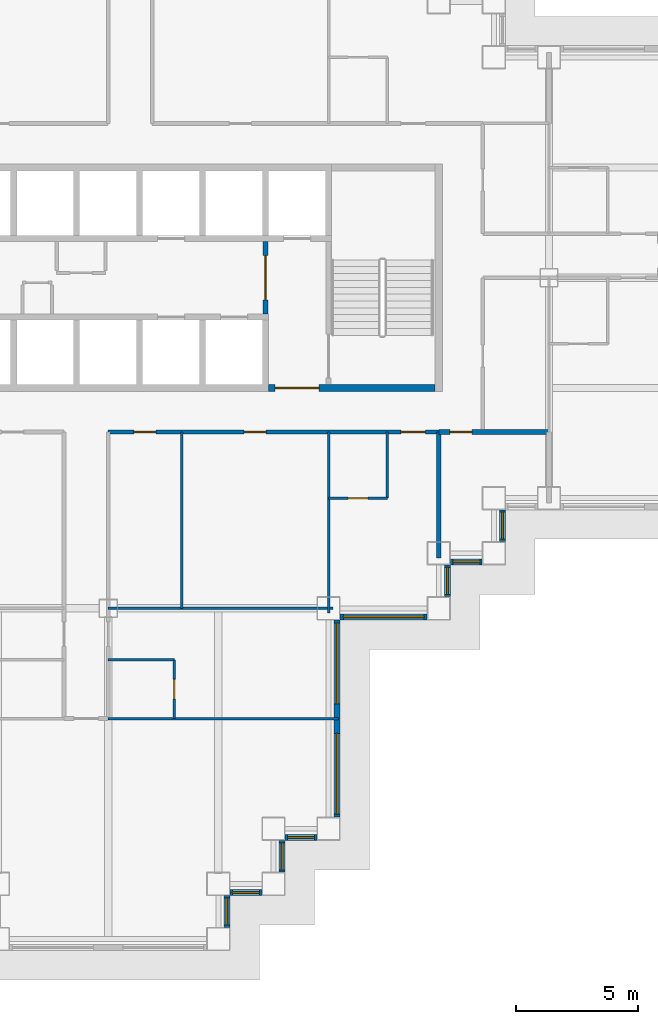
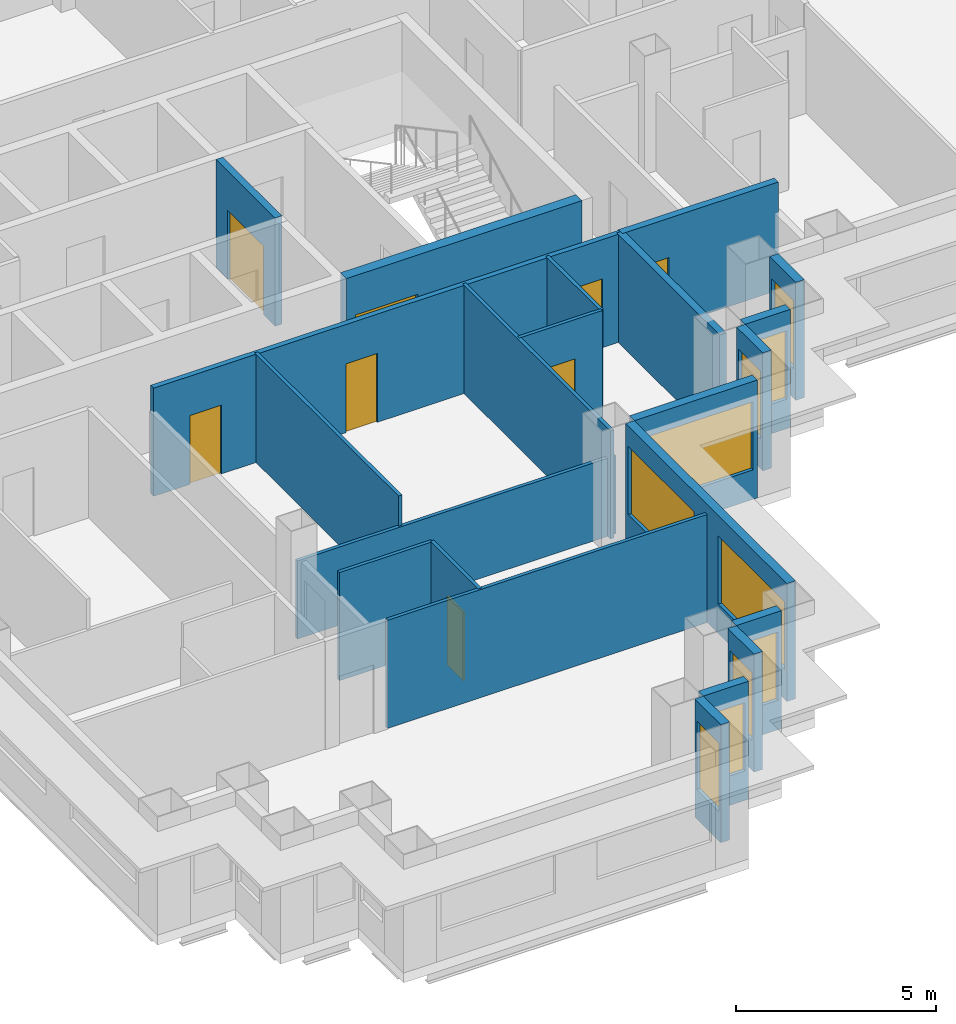
# One storey, part 5 of 14: 22 walls, 10 windows, 8 doors, 18 openings.
"""IFC4 building model written with IfcOpenShell, lengths in metres."""

from ifc_helpers import new_model, si_unit, direction, frame, frame_2d, origin, place, context, subcontext, project, spatial, rectangle, extrude, material, layer, layer_set, type_object, element, fill, save


model = new_model("IFC4")

# Units and contexts
model_context = context("Model", 3, precision=1e-05, world=origin(), true_north=direction((0.0, 1.0)))
body_context = subcontext(model_context, "Body", "Model", "MODEL_VIEW")
ifc_project = project(units=[si_unit("LENGTHUNIT", "METRE"), si_unit("AREAUNIT", "SQUARE_METRE"), si_unit("VOLUMEUNIT", "CUBIC_METRE"), si_unit("PLANEANGLEUNIT", "RADIAN"), si_unit("MASSUNIT", "GRAM", prefix="KILO")], contexts=[model_context])

# Site, building, storey
site_placement = place(None, origin())
site = spatial("IfcSite", under=ifc_project, at=site_placement, CompositionType="ELEMENT")
building_placement = place(site_placement, origin())
building = spatial("IfcBuilding", under=site, at=building_placement, Name="Caravel Reach Hotel and Residences", CompositionType="ELEMENT")
storey_placement = place(building_placement, frame((0.0, 0.0, 88.800048828125)))
storey = spatial("IfcBuildingStorey", under=building, at=storey_placement, Name="L21", CompositionType="ELEMENT", Elevation=88.800048828125)

# Wall
ifc_material_1 = material(Name="Gypsum board on steel stud", Category="steel")
ifc_layer_1 = layer(ifc_material_1, 0.10009765625)
ifc_layer_set_1 = layer_set([ifc_layer_1], Name="Bathroom pod wall 100 mm")
wall_type_1 = type_object("IfcWallType", Name="Bathroom pod wall 100 mm", PredefinedType="PARTITIONING", material=ifc_layer_set_1)
wall_1_placement = place(storey_placement, frame((31.5, 11.39990234375, 0.0), z_axis=(0.0, 0.0, 1.0), x_axis=(1.0, 0.0, 0.0)))
element("IfcWall", 1, at=wall_1_placement, inside=storey, type_object=wall_type_1, Name="L21 wall w071", PredefinedType="PARTITIONING", context=body_context, shape_type="SweptSolid", body=[
    extrude(rectangle(XDim=2.699951171875, YDim=0.10009765625, at=frame_2d((1.35009765625, 0.0))), origin(), (0.0, 0.0, 1.0), 3.300048828125),
])

# Wall, opening, door
wall_2_placement = place(storey_placement, frame((40.5, 18.0, 0.0), z_axis=(0.0, 0.0, 1.0), x_axis=(1.0, 0.0, 0.0)))
wall_2 = element("IfcWall", 2, at=wall_2_placement, inside=storey, type_object=wall_type_1, Name="L21 wall w074", PredefinedType="PARTITIONING", context=body_context, shape_type="SweptSolid", body=[
    extrude(rectangle(XDim=2.39990234375, YDim=0.10009765625, at=frame_2d((1.199951171875, 0.0))), origin(), (0.0, 0.0, 1.0), 3.300048828125),
])
opening_1_placement = place(wall_2_placement, frame((0.800048828125, 0.0, 0.0)))
opening_1 = element("IfcOpeningElement", 3, at=opening_1_placement, cuts=wall_2, Name="Opening D21-046", PredefinedType="OPENING", context=body_context, shape_type="SweptSolid", body=[
    extrude(rectangle(XDim=0.800048828125, YDim=2.10009765625, at=frame_2d((0.39990234375, 1.050048828125))), frame((0.0, 0.06005859375, 0.0), z_axis=(0.0, -1.0, 0.0), x_axis=(1.0, 0.0, 0.0)), (0.0, 0.0, 1.0), 0.1201171875),
])
ifc_material_2 = material(Name="Timber and steel door leaf", Category="steel")
door_type_1 = type_object("IfcDoorType", Name="Bathroom door 800 x 2100", OperationType="SINGLE_SWING_LEFT", PredefinedType="DOOR", material=ifc_material_2)
door_1_placement = place(opening_1_placement, origin())
door_1 = element("IfcDoor", 4, at=door_1_placement, inside=storey, type_object=door_type_1, Name="door D21-046", OperationType="SINGLE_SWING_LEFT", OverallHeight=2.10009765625, OverallWidth=0.800048828125, PredefinedType="DOOR", context=body_context, shape_type="SweptSolid", body=[
    extrude(rectangle(XDim=0.800048828125, YDim=2.10009765625, at=frame_2d((0.39990234375, 1.050048828125))), frame((0.0, 0.02490234375, 0.0), z_axis=(0.0, -1.0, 0.0), x_axis=(1.0, 0.0, 0.0)), (0.0, 0.0, 1.0), 0.050048828125),
])
fill(opening_1, door_1)

wall_3_placement = place(storey_placement, frame((34.199951171875, 9.0, 0.0), z_axis=(0.0, 0.0, 1.0), x_axis=(0.0, 1.0, 0.0)))
wall_3 = element("IfcWall", 5, at=wall_3_placement, inside=storey, type_object=wall_type_1, Name="L21 wall w088", PredefinedType="PARTITIONING", context=body_context, shape_type="SweptSolid", body=[
    extrude(rectangle(XDim=2.39990234375, YDim=0.10009765625, at=frame_2d((1.199951171875, 0.0))), origin(), (0.0, 0.0, 1.0), 3.300048828125),
])
opening_2_placement = place(wall_3_placement, frame((0.800048828125, 0.0, 0.0)))
opening_2 = element("IfcOpeningElement", 6, at=opening_2_placement, cuts=wall_3, Name="Opening D21-033", PredefinedType="OPENING", context=body_context, shape_type="SweptSolid", body=[
    extrude(rectangle(XDim=0.800048828125, YDim=2.10009765625, at=frame_2d((0.39990234375, 1.050048828125))), frame((0.0, 0.06005859375, 0.0), z_axis=(0.0, -1.0, 0.0), x_axis=(1.0, 0.0, 0.0)), (0.0, 0.0, 1.0), 0.1201171875),
])
door_2_placement = place(opening_2_placement, origin())
door_2 = element("IfcDoor", 7, at=door_2_placement, inside=storey, type_object=door_type_1, Name="door D21-033", OperationType="SINGLE_SWING_RIGHT", OverallHeight=2.10009765625, OverallWidth=0.800048828125, PredefinedType="DOOR", context=body_context, shape_type="SweptSolid", body=[
    extrude(rectangle(XDim=0.800048828125, YDim=2.10009765625, at=frame_2d((0.39990234375, 1.050048828125))), frame((0.0, 0.02490234375, 0.0), z_axis=(0.0, -1.0, 0.0), x_axis=(1.0, 0.0, 0.0)), (0.0, 0.0, 1.0), 0.050048828125),
])
fill(opening_2, door_2)

# Wall
wall_4_placement = place(storey_placement, frame((42.89990234375, 18.0, 0.0), z_axis=(0.0, 0.0, 1.0), x_axis=(0.0, 1.0, 0.0)))
element("IfcWall", 8, at=wall_4_placement, inside=storey, type_object=wall_type_1, Name="L21 wall w091", PredefinedType="PARTITIONING", context=body_context, shape_type="SweptSolid", body=[
    extrude(rectangle(XDim=2.699951171875, YDim=0.10009765625, at=frame_2d((1.35009765625, 0.0))), origin(), (0.0, 0.0, 1.0), 3.300048828125),
])

# Wall, opening, door
ifc_material_3 = material(Name="Autoclaved aerated block wall")
ifc_layer_2 = layer(ifc_material_3, 0.199951171875)
ifc_layer_set_2 = layer_set([ifc_layer_2], Name="Compartment wall 200 mm EI 120")
wall_type_2 = type_object("IfcWallType", Name="Compartment wall 200 mm EI 120", PredefinedType="PARTITIONING", material=ifc_layer_set_2)
wall_5_placement = place(storey_placement, frame((45.0, 20.699951171875, 0.0), z_axis=(0.0, 0.0, 1.0), x_axis=(1.0, 0.0, 0.0)))
wall_5 = element("IfcWall", 9, at=wall_5_placement, inside=storey, type_object=wall_type_2, Name="L21 wall w096", PredefinedType="PARTITIONING", context=body_context, shape_type="SweptSolid", body=[
    extrude(rectangle(XDim=4.5, YDim=0.199951171875, at=frame_2d((2.25, 0.0))), origin(), (0.0, 0.0, 1.0), 3.300048828125),
])
opening_3_placement = place(wall_5_placement, frame((0.449951171875, 0.0, 0.0)))
opening_3 = element("IfcOpeningElement", 10, at=opening_3_placement, cuts=wall_5, Name="Opening D21-047", PredefinedType="OPENING", context=body_context, shape_type="SweptSolid", body=[
    extrude(rectangle(XDim=0.89990234375, YDim=2.10009765625, at=frame_2d((0.449951171875, 1.050048828125))), frame((0.0, 0.10986328125, 0.0), z_axis=(0.0, -1.0, 0.0), x_axis=(1.0, 0.0, 0.0)), (0.0, 0.0, 1.0), 0.219970703125),
])
ifc_material_4 = material(Name="Steel fire door leaf", Category="steel")
door_type_2 = type_object("IfcDoorType", Name="Riser door 900 x 2100 EI 60", OperationType="SINGLE_SWING_LEFT", PredefinedType="DOOR", material=ifc_material_4)
door_3_placement = place(opening_3_placement, origin())
door_3 = element("IfcDoor", 11, at=door_3_placement, inside=storey, type_object=door_type_2, Name="door D21-047", OperationType="SINGLE_SWING_RIGHT", OverallHeight=2.10009765625, OverallWidth=0.89990234375, PredefinedType="DOOR", context=body_context, shape_type="SweptSolid", body=[
    extrude(rectangle(XDim=0.89990234375, YDim=2.10009765625, at=frame_2d((0.449951171875, 1.050048828125))), frame((0.0, 0.02490234375, 0.0), z_axis=(0.0, -1.0, 0.0), x_axis=(1.0, 0.0, 0.0)), (0.0, 0.0, 1.0), 0.050048828125),
])
fill(opening_3, door_3)

# Wall
wall_6_placement = place(storey_placement, frame((45.0, 15.56005859375, 0.0), z_axis=(0.0, 0.0, 1.0), x_axis=(0.0, 1.0, 0.0)))
element("IfcWall", 12, at=wall_6_placement, inside=storey, type_object=wall_type_2, Name="L21 wall w098", PredefinedType="PARTITIONING", context=body_context, shape_type="SweptSolid", body=[
    extrude(rectangle(XDim=5.139892578125, YDim=0.199951171875, at=frame_2d((2.56982421875, 0.0))), origin(), (0.0, 0.0, 1.0), 3.300048828125),
])

# Wall, opening, door
ifc_material_5 = material(Name="Concrete C60", Category="concrete")
ifc_layer_3 = layer(ifc_material_5, 0.300048828125)
ifc_layer_set_3 = layer_set([ifc_layer_3], Name="Core wall 300 mm EI 120")
wall_type_3 = type_object("IfcWallType", Name="Core wall 300 mm EI 120", PredefinedType="SHEAR", material=ifc_layer_set_3)
wall_7_placement = place(storey_placement, frame((38.053466796875, 22.5, 0.0), z_axis=(0.0, 0.0, 1.0), x_axis=(1.0, 0.0, 0.0)))
wall_7 = element("IfcWall", 13, at=wall_7_placement, inside=storey, type_object=wall_type_3, Name="L21 core wall S2", PredefinedType="SHEAR", context=body_context, shape_type="SweptSolid", body=[
    extrude(rectangle(XDim=6.796630859375, YDim=0.300048828125, at=frame_2d((3.3984375, 0.0))), origin(), (0.0, 0.0, 1.0), 3.300048828125),
])
opening_4_placement = place(wall_7_placement, frame((0.2607421875, 0.0, 0.0)))
opening_4 = element("IfcOpeningElement", 14, at=opening_4_placement, cuts=wall_7, Name="Opening D21-015", PredefinedType="OPENING", context=body_context, shape_type="SweptSolid", body=[
    extrude(rectangle(XDim=1.800048828125, YDim=2.10009765625, at=frame_2d((0.89990234375, 1.050048828125))), frame((0.0, 0.159912109375, 0.0), z_axis=(0.0, -1.0, 0.0), x_axis=(1.0, 0.0, 0.0)), (0.0, 0.0, 1.0), 0.320068359375),
])
ifc_material_6 = material(Name="Steel fire door leaf", Category="steel")
door_type_3 = type_object("IfcDoorType", Name="Fire lobby door pair 1800 x 2100 EI 90", OperationType="DOUBLE_DOOR_SINGLE_SWING", PredefinedType="DOOR", material=ifc_material_6)
door_4_placement = place(opening_4_placement, origin())
door_4 = element("IfcDoor", 15, at=door_4_placement, inside=storey, type_object=door_type_3, Name="lobby S door pair to corridor", OperationType="DOUBLE_DOOR_SINGLE_SWING", OverallHeight=2.10009765625, OverallWidth=1.800048828125, PredefinedType="DOOR", context=body_context, shape_type="SweptSolid", body=[
    extrude(rectangle(XDim=1.800048828125, YDim=2.10009765625, at=frame_2d((0.89990234375, 1.050048828125))), frame((0.0, 0.02490234375, 0.0), z_axis=(0.0, -1.0, 0.0), x_axis=(1.0, 0.0, 0.0)), (0.0, 0.0, 1.0), 0.050048828125),
])
fill(opening_4, door_4)

# Wall, openings, doors
ifc_material_7 = material(Name="Gypsum board on steel stud, fire-rated", Category="steel")
ifc_layer_4 = layer(ifc_material_7, 0.14990234375)
ifc_layer_set_4 = layer_set([ifc_layer_4], Name="Corridor wall 150 mm EI 60")
wall_type_4 = type_object("IfcWallType", Name="Corridor wall 150 mm EI 60", PredefinedType="PARTITIONING", material=ifc_layer_set_4)
wall_8_placement = place(storey_placement, frame((31.5, 20.699951171875, 0.0), z_axis=(0.0, 0.0, 1.0), x_axis=(1.0, 0.0, 0.0)))
wall_8 = element("IfcWall", 16, at=wall_8_placement, inside=storey, type_object=wall_type_4, Name="L21 wall w005", PredefinedType="PARTITIONING", context=body_context, shape_type="SweptSolid", body=[
    extrude(rectangle(XDim=13.5, YDim=0.14990234375, at=frame_2d((6.75, 0.0))), origin(), (0.0, 0.0, 1.0), 3.300048828125),
])
opening_5_placement = place(wall_8_placement, frame((11.949951171875, 0.0, 0.0)))
opening_5 = element("IfcOpeningElement", 17, at=opening_5_placement, cuts=wall_8, Name="Opening D21-045", PredefinedType="OPENING", context=body_context, shape_type="SweptSolid", body=[
    extrude(rectangle(XDim=1.0, YDim=2.10009765625, at=frame_2d((0.5, 1.050048828125))), frame((0.0, 0.0849609375, 0.0), z_axis=(0.0, -1.0, 0.0), x_axis=(1.0, 0.0, 0.0)), (0.0, 0.0, 1.0), 0.169921875),
])
opening_6_placement = place(wall_8_placement, frame((1.050048828125, 0.0, 0.0)))
opening_6 = element("IfcOpeningElement", 18, at=opening_6_placement, cuts=wall_8, Name="Opening D21-052", PredefinedType="OPENING", context=body_context, shape_type="SweptSolid", body=[
    extrude(rectangle(XDim=0.89990234375, YDim=2.10009765625, at=frame_2d((0.449951171875, 1.050048828125))), frame((0.0, 0.0849609375, 0.0), z_axis=(0.0, -1.0, 0.0), x_axis=(1.0, 0.0, 0.0)), (0.0, 0.0, 1.0), 0.169921875),
])
opening_7_placement = place(wall_8_placement, frame((5.550048828125, 0.0, 0.0)))
opening_7 = element("IfcOpeningElement", 19, at=opening_7_placement, cuts=wall_8, Name="Opening D21-053", PredefinedType="OPENING", context=body_context, shape_type="SweptSolid", body=[
    extrude(rectangle(XDim=0.89990234375, YDim=2.10009765625, at=frame_2d((0.449951171875, 1.050048828125))), frame((0.0, 0.0849609375, 0.0), z_axis=(0.0, -1.0, 0.0), x_axis=(1.0, 0.0, 0.0)), (0.0, 0.0, 1.0), 0.169921875),
])
ifc_material_8 = material(Name="Timber and steel door leaf", Category="steel")
door_type_4 = type_object("IfcDoorType", Name="Door 900 x 2100 timber", OperationType="SINGLE_SWING_LEFT", PredefinedType="DOOR", material=ifc_material_8)
door_5_placement = place(opening_6_placement, origin())
door_5 = element("IfcDoor", 20, at=door_5_placement, inside=storey, type_object=door_type_4, Name="door D21-052", OperationType="SINGLE_SWING_LEFT", OverallHeight=2.10009765625, OverallWidth=0.89990234375, PredefinedType="DOOR", context=body_context, shape_type="SweptSolid", body=[
    extrude(rectangle(XDim=0.89990234375, YDim=2.10009765625, at=frame_2d((0.449951171875, 1.050048828125))), frame((0.0, 0.02490234375, 0.0), z_axis=(0.0, -1.0, 0.0), x_axis=(1.0, 0.0, 0.0)), (0.0, 0.0, 1.0), 0.050048828125),
])
fill(opening_6, door_5)
door_6_placement = place(opening_7_placement, origin())
door_6 = element("IfcDoor", 21, at=door_6_placement, inside=storey, type_object=door_type_4, Name="door D21-053", OperationType="SINGLE_SWING_RIGHT", OverallHeight=2.10009765625, OverallWidth=0.89990234375, PredefinedType="DOOR", context=body_context, shape_type="SweptSolid", body=[
    extrude(rectangle(XDim=0.89990234375, YDim=2.10009765625, at=frame_2d((0.449951171875, 1.050048828125))), frame((0.0, 0.02490234375, 0.0), z_axis=(0.0, -1.0, 0.0), x_axis=(1.0, 0.0, 0.0)), (0.0, 0.0, 1.0), 0.050048828125),
])
fill(opening_7, door_6)
ifc_material_9 = material(Name="Steel fire door leaf", Category="steel")
door_type_5 = type_object("IfcDoorType", Name="Guest room door 1000 x 2100 EI 30", OperationType="SINGLE_SWING_LEFT", PredefinedType="DOOR", material=ifc_material_9)
door_7_placement = place(opening_5_placement, origin())
door_7 = element("IfcDoor", 22, at=door_7_placement, inside=storey, type_object=door_type_5, Name="door D21-045", OperationType="SINGLE_SWING_RIGHT", OverallHeight=2.10009765625, OverallWidth=1.0, PredefinedType="DOOR", context=body_context, shape_type="SweptSolid", body=[
    extrude(rectangle(XDim=1.0, YDim=2.10009765625, at=frame_2d((0.5, 1.050048828125))), frame((0.0, 0.02490234375, 0.0), z_axis=(0.0, -1.0, 0.0), x_axis=(1.0, 0.0, 0.0)), (0.0, 0.0, 1.0), 0.050048828125),
])
fill(opening_5, door_7)

# Wall, opening, window
ifc_material_10 = material(Name="Insulated rainscreen wall, aluminium cladding", Category="aluminium")
ifc_layer_5 = layer(ifc_material_10, 0.25)
ifc_layer_set_5 = layer_set([ifc_layer_5], Name="EW1 Tower rainscreen wall")
wall_type_5 = type_object("IfcWallType", Name="EW1 Tower rainscreen wall", PredefinedType="SOLIDWALL", material=ifc_layer_set_5)
wall_9_placement = place(storey_placement, frame((36.35009765625, 0.47509765625, 0.0), z_axis=(0.0, 0.0, 1.0), x_axis=(0.0, 1.0, 0.0)))
wall_9 = element("IfcWall", 23, at=wall_9_placement, inside=storey, type_object=wall_type_5, Name="External wall L21 E6.1", PredefinedType="SOLIDWALL", context=body_context, shape_type="SweptSolid", body=[
    extrude(rectangle(XDim=1.2998046875, YDim=0.25, at=frame_2d((0.64990234375, 0.0))), origin(), (0.0, 0.0, 1.0), 3.599853515625),
])
opening_8_placement = place(wall_9_placement, frame((0.10009765625, 0.0, 0.89990234375)))
opening_8 = element("IfcOpeningElement", 24, at=opening_8_placement, cuts=wall_9, Name="Opening WN5", PredefinedType="OPENING", context=body_context, shape_type="SweptSolid", body=[
    extrude(rectangle(XDim=1.10009765625, YDim=2.080078125, at=frame_2d((0.550048828125, 1.0400390625))), frame((0.0, 0.135009765625, 0.0), z_axis=(0.0, -1.0, 0.0), x_axis=(1.0, 0.0, 0.0)), (0.0, 0.0, 1.0), 0.27001953125),
])
ifc_material_11 = material(Name="Dark low-e glazing in black aluminium frame", Category="aluminium")
window_type_1 = type_object("IfcWindowType", Name="Hotel suite corner window 1100 x 2080", PartitioningType="SINGLE_PANEL", PredefinedType="WINDOW", material=ifc_material_11)
window_1_placement = place(opening_8_placement, origin())
window_1 = element("IfcWindow", 25, at=window_1_placement, inside=storey, type_object=window_type_1, Name="Window L21 E6.1.1", OverallHeight=2.080078125, OverallWidth=1.10009765625, PartitioningType="SINGLE_PANEL", PredefinedType="WINDOW", context=body_context, shape_type="SweptSolid", body=[
    extrude(rectangle(XDim=1.10009765625, YDim=2.080078125, at=frame_2d((0.550048828125, 1.0400390625))), frame((0.0, 0.030029296875, 0.0), z_axis=(0.0, -1.0, 0.0), x_axis=(1.0, 0.0, 0.0)), (0.0, 0.0, 1.0), 0.06005859375),
])
fill(opening_8, window_1)

wall_10_placement = place(storey_placement, frame((36.47509765625, 1.89990234375, 0.0), z_axis=(0.0, 0.0, 1.0), x_axis=(1.0, 0.0, 0.0)))
wall_10 = element("IfcWall", 26, at=wall_10_placement, inside=storey, type_object=wall_type_5, Name="External wall L21 S7.1", PredefinedType="SOLIDWALL", context=body_context, shape_type="SweptSolid", body=[
    extrude(rectangle(XDim=1.2998046875, YDim=0.25, at=frame_2d((0.64990234375, 0.0))), origin(), (0.0, 0.0, 1.0), 3.599853515625),
])
opening_9_placement = place(wall_10_placement, frame((0.10009765625, 0.0, 0.89990234375)))
opening_9 = element("IfcOpeningElement", 27, at=opening_9_placement, cuts=wall_10, Name="Opening WN5", PredefinedType="OPENING", context=body_context, shape_type="SweptSolid", body=[
    extrude(rectangle(XDim=1.10009765625, YDim=2.080078125, at=frame_2d((0.550048828125, 1.0400390625))), frame((0.0, 0.135009765625, 0.0), z_axis=(0.0, -1.0, 0.0), x_axis=(1.0, 0.0, 0.0)), (0.0, 0.0, 1.0), 0.27001953125),
])
window_2_placement = place(opening_9_placement, origin())
window_2 = element("IfcWindow", 28, at=window_2_placement, inside=storey, type_object=window_type_1, Name="Window L21 S7.1.1", OverallHeight=2.080078125, OverallWidth=1.10009765625, PartitioningType="SINGLE_PANEL", PredefinedType="WINDOW", context=body_context, shape_type="SweptSolid", body=[
    extrude(rectangle(XDim=1.10009765625, YDim=2.080078125, at=frame_2d((0.550048828125, 1.0400390625))), frame((0.0, 0.030029296875, 0.0), z_axis=(0.0, -1.0, 0.0), x_axis=(1.0, 0.0, 0.0)), (0.0, 0.0, 1.0), 0.06005859375),
])
fill(opening_9, window_2)

wall_11_placement = place(storey_placement, frame((38.60009765625, 2.72509765625, 0.0), z_axis=(0.0, 0.0, 1.0), x_axis=(0.0, 1.0, 0.0)))
wall_11 = element("IfcWall", 29, at=wall_11_placement, inside=storey, type_object=wall_type_5, Name="External wall L21 E8.1", PredefinedType="SOLIDWALL", context=body_context, shape_type="SweptSolid", body=[
    extrude(rectangle(XDim=1.2998046875, YDim=0.25, at=frame_2d((0.64990234375, 0.0))), origin(), (0.0, 0.0, 1.0), 3.599853515625),
])
opening_10_placement = place(wall_11_placement, frame((0.10009765625, 0.0, 0.89990234375)))
opening_10 = element("IfcOpeningElement", 30, at=opening_10_placement, cuts=wall_11, Name="Opening WN5", PredefinedType="OPENING", context=body_context, shape_type="SweptSolid", body=[
    extrude(rectangle(XDim=1.10009765625, YDim=2.080078125, at=frame_2d((0.550048828125, 1.0400390625))), frame((0.0, 0.135009765625, 0.0), z_axis=(0.0, -1.0, 0.0), x_axis=(1.0, 0.0, 0.0)), (0.0, 0.0, 1.0), 0.27001953125),
])
window_3_placement = place(opening_10_placement, origin())
window_3 = element("IfcWindow", 31, at=window_3_placement, inside=storey, type_object=window_type_1, Name="Window L21 E8.1.1", OverallHeight=2.080078125, OverallWidth=1.10009765625, PartitioningType="SINGLE_PANEL", PredefinedType="WINDOW", context=body_context, shape_type="SweptSolid", body=[
    extrude(rectangle(XDim=1.10009765625, YDim=2.080078125, at=frame_2d((0.550048828125, 1.0400390625))), frame((0.0, 0.030029296875, 0.0), z_axis=(0.0, -1.0, 0.0), x_axis=(1.0, 0.0, 0.0)), (0.0, 0.0, 1.0), 0.06005859375),
])
fill(opening_10, window_3)

wall_12_placement = place(storey_placement, frame((38.72509765625, 4.14990234375, 0.0), z_axis=(0.0, 0.0, 1.0), x_axis=(1.0, 0.0, 0.0)))
wall_12 = element("IfcWall", 32, at=wall_12_placement, inside=storey, type_object=wall_type_5, Name="External wall L21 S9.1", PredefinedType="SOLIDWALL", context=body_context, shape_type="SweptSolid", body=[
    extrude(rectangle(XDim=1.2998046875, YDim=0.25, at=frame_2d((0.64990234375, 0.0))), origin(), (0.0, 0.0, 1.0), 3.599853515625),
])
opening_11_placement = place(wall_12_placement, frame((0.10009765625, 0.0, 0.89990234375)))
opening_11 = element("IfcOpeningElement", 33, at=opening_11_placement, cuts=wall_12, Name="Opening WN5", PredefinedType="OPENING", context=body_context, shape_type="SweptSolid", body=[
    extrude(rectangle(XDim=1.10009765625, YDim=2.080078125, at=frame_2d((0.550048828125, 1.0400390625))), frame((0.0, 0.135009765625, 0.0), z_axis=(0.0, -1.0, 0.0), x_axis=(1.0, 0.0, 0.0)), (0.0, 0.0, 1.0), 0.27001953125),
])
window_4_placement = place(opening_11_placement, origin())
window_4 = element("IfcWindow", 34, at=window_4_placement, inside=storey, type_object=window_type_1, Name="Window L21 S9.1.1", OverallHeight=2.080078125, OverallWidth=1.10009765625, PartitioningType="SINGLE_PANEL", PredefinedType="WINDOW", context=body_context, shape_type="SweptSolid", body=[
    extrude(rectangle(XDim=1.10009765625, YDim=2.080078125, at=frame_2d((0.550048828125, 1.0400390625))), frame((0.0, 0.030029296875, 0.0), z_axis=(0.0, -1.0, 0.0), x_axis=(1.0, 0.0, 0.0)), (0.0, 0.0, 1.0), 0.06005859375),
])
fill(opening_11, window_4)

# Wall, openings, windows
wall_13_placement = place(storey_placement, frame((40.85009765625, 4.97509765625, 0.0), z_axis=(0.0, 0.0, 1.0), x_axis=(0.0, 1.0, 0.0)))
wall_13 = element("IfcWall", 35, at=wall_13_placement, inside=storey, type_object=wall_type_5, Name="External wall L21 E10.1", PredefinedType="SOLIDWALL", context=body_context, shape_type="SweptSolid", body=[
    extrude(rectangle(XDim=8.0498046875, YDim=0.25, at=frame_2d((4.02490234375, 0.0))), origin(), (0.0, 0.0, 1.0), 3.599853515625),
])
opening_12_placement = place(wall_13_placement, frame((0.125, 0.0, 0.89990234375)))
opening_12 = element("IfcOpeningElement", 36, at=opening_12_placement, cuts=wall_13, Name="Opening WN4", PredefinedType="OPENING", context=body_context, shape_type="SweptSolid", body=[
    extrude(rectangle(XDim=3.300048828125, YDim=2.080078125, at=frame_2d((1.64990234375, 1.0400390625))), frame((0.0, 0.135009765625, 0.0), z_axis=(0.0, -1.0, 0.0), x_axis=(1.0, 0.0, 0.0)), (0.0, 0.0, 1.0), 0.27001953125),
])
opening_13_placement = place(wall_13_placement, frame((4.625, 0.0, 0.89990234375)))
opening_13 = element("IfcOpeningElement", 37, at=opening_13_placement, cuts=wall_13, Name="Opening WN4", PredefinedType="OPENING", context=body_context, shape_type="SweptSolid", body=[
    extrude(rectangle(XDim=3.300048828125, YDim=2.080078125, at=frame_2d((1.64990234375, 1.0400390625))), frame((0.0, 0.135009765625, 0.0), z_axis=(0.0, -1.0, 0.0), x_axis=(1.0, 0.0, 0.0)), (0.0, 0.0, 1.0), 0.27001953125),
])
ifc_material_12 = material(Name="Dark low-e glazing in black aluminium frame", Category="aluminium")
window_type_2 = type_object("IfcWindowType", Name="Hotel guest room window 3300 x 2080", PartitioningType="SINGLE_PANEL", PredefinedType="WINDOW", material=ifc_material_12)
window_5_placement = place(opening_12_placement, origin())
window_5 = element("IfcWindow", 38, at=window_5_placement, inside=storey, type_object=window_type_2, Name="Window L21 E10.1.1", OverallHeight=2.080078125, OverallWidth=3.300048828125, PartitioningType="SINGLE_PANEL", PredefinedType="WINDOW", context=body_context, shape_type="SweptSolid", body=[
    extrude(rectangle(XDim=3.300048828125, YDim=2.080078125, at=frame_2d((1.64990234375, 1.0400390625))), frame((0.0, 0.030029296875, 0.0), z_axis=(0.0, -1.0, 0.0), x_axis=(1.0, 0.0, 0.0)), (0.0, 0.0, 1.0), 0.06005859375),
])
fill(opening_12, window_5)
window_6_placement = place(opening_13_placement, origin())
window_6 = element("IfcWindow", 39, at=window_6_placement, inside=storey, type_object=window_type_2, Name="Window L21 E10.1.2", OverallHeight=2.080078125, OverallWidth=3.300048828125, PartitioningType="SINGLE_PANEL", PredefinedType="WINDOW", context=body_context, shape_type="SweptSolid", body=[
    extrude(rectangle(XDim=3.300048828125, YDim=2.080078125, at=frame_2d((1.64990234375, 1.0400390625))), frame((0.0, 0.030029296875, 0.0), z_axis=(0.0, -1.0, 0.0), x_axis=(1.0, 0.0, 0.0)), (0.0, 0.0, 1.0), 0.06005859375),
])
fill(opening_13, window_6)

# Wall, opening, window
wall_14_placement = place(storey_placement, frame((40.97509765625, 13.14990234375, 0.0), z_axis=(0.0, 0.0, 1.0), x_axis=(1.0, 0.0, 0.0)))
wall_14 = element("IfcWall", 40, at=wall_14_placement, inside=storey, type_object=wall_type_5, Name="External wall L21 S11.1", PredefinedType="SOLIDWALL", context=body_context, shape_type="SweptSolid", body=[
    extrude(rectangle(XDim=3.5498046875, YDim=0.25, at=frame_2d((1.77490234375, 0.0))), origin(), (0.0, 0.0, 1.0), 3.599853515625),
])
opening_14_placement = place(wall_14_placement, frame((0.125, 0.0, 0.89990234375)))
opening_14 = element("IfcOpeningElement", 41, at=opening_14_placement, cuts=wall_14, Name="Opening WN4", PredefinedType="OPENING", context=body_context, shape_type="SweptSolid", body=[
    extrude(rectangle(XDim=3.300048828125, YDim=2.080078125, at=frame_2d((1.64990234375, 1.0400390625))), frame((0.0, 0.135009765625, 0.0), z_axis=(0.0, -1.0, 0.0), x_axis=(1.0, 0.0, 0.0)), (0.0, 0.0, 1.0), 0.27001953125),
])
window_7_placement = place(opening_14_placement, origin())
window_7 = element("IfcWindow", 42, at=window_7_placement, inside=storey, type_object=window_type_2, Name="Window L21 S11.1.1", OverallHeight=2.080078125, OverallWidth=3.300048828125, PartitioningType="SINGLE_PANEL", PredefinedType="WINDOW", context=body_context, shape_type="SweptSolid", body=[
    extrude(rectangle(XDim=3.300048828125, YDim=2.080078125, at=frame_2d((1.64990234375, 1.0400390625))), frame((0.0, 0.030029296875, 0.0), z_axis=(0.0, -1.0, 0.0), x_axis=(1.0, 0.0, 0.0)), (0.0, 0.0, 1.0), 0.06005859375),
])
fill(opening_14, window_7)

wall_15_placement = place(storey_placement, frame((45.35009765625, 13.97509765625, 0.0), z_axis=(0.0, 0.0, 1.0), x_axis=(0.0, 1.0, 0.0)))
wall_15 = element("IfcWall", 43, at=wall_15_placement, inside=storey, type_object=wall_type_5, Name="External wall L21 E12.1", PredefinedType="SOLIDWALL", context=body_context, shape_type="SweptSolid", body=[
    extrude(rectangle(XDim=1.2998046875, YDim=0.25, at=frame_2d((0.64990234375, 0.0))), origin(), (0.0, 0.0, 1.0), 3.599853515625),
])
opening_15_placement = place(wall_15_placement, frame((0.10009765625, 0.0, 0.89990234375)))
opening_15 = element("IfcOpeningElement", 44, at=opening_15_placement, cuts=wall_15, Name="Opening WN5", PredefinedType="OPENING", context=body_context, shape_type="SweptSolid", body=[
    extrude(rectangle(XDim=1.10009765625, YDim=2.080078125, at=frame_2d((0.550048828125, 1.0400390625))), frame((0.0, 0.135009765625, 0.0), z_axis=(0.0, -1.0, 0.0), x_axis=(1.0, 0.0, 0.0)), (0.0, 0.0, 1.0), 0.27001953125),
])
window_8_placement = place(opening_15_placement, origin())
window_8 = element("IfcWindow", 45, at=window_8_placement, inside=storey, type_object=window_type_1, Name="Window L21 E12.1.1", OverallHeight=2.080078125, OverallWidth=1.10009765625, PartitioningType="SINGLE_PANEL", PredefinedType="WINDOW", context=body_context, shape_type="SweptSolid", body=[
    extrude(rectangle(XDim=1.10009765625, YDim=2.080078125, at=frame_2d((0.550048828125, 1.0400390625))), frame((0.0, 0.030029296875, 0.0), z_axis=(0.0, -1.0, 0.0), x_axis=(1.0, 0.0, 0.0)), (0.0, 0.0, 1.0), 0.06005859375),
])
fill(opening_15, window_8)

wall_16_placement = place(storey_placement, frame((45.47509765625, 15.39990234375, 0.0), z_axis=(0.0, 0.0, 1.0), x_axis=(1.0, 0.0, 0.0)))
wall_16 = element("IfcWall", 46, at=wall_16_placement, inside=storey, type_object=wall_type_5, Name="External wall L21 S13.1", PredefinedType="SOLIDWALL", context=body_context, shape_type="SweptSolid", body=[
    extrude(rectangle(XDim=1.2998046875, YDim=0.25, at=frame_2d((0.64990234375, 0.0))), origin(), (0.0, 0.0, 1.0), 3.599853515625),
])
opening_16_placement = place(wall_16_placement, frame((0.10009765625, 0.0, 0.89990234375)))
opening_16 = element("IfcOpeningElement", 47, at=opening_16_placement, cuts=wall_16, Name="Opening WN5", PredefinedType="OPENING", context=body_context, shape_type="SweptSolid", body=[
    extrude(rectangle(XDim=1.10009765625, YDim=2.080078125, at=frame_2d((0.550048828125, 1.0400390625))), frame((0.0, 0.135009765625, 0.0), z_axis=(0.0, -1.0, 0.0), x_axis=(1.0, 0.0, 0.0)), (0.0, 0.0, 1.0), 0.27001953125),
])
window_9_placement = place(opening_16_placement, origin())
window_9 = element("IfcWindow", 48, at=window_9_placement, inside=storey, type_object=window_type_1, Name="Window L21 S13.1.1", OverallHeight=2.080078125, OverallWidth=1.10009765625, PartitioningType="SINGLE_PANEL", PredefinedType="WINDOW", context=body_context, shape_type="SweptSolid", body=[
    extrude(rectangle(XDim=1.10009765625, YDim=2.080078125, at=frame_2d((0.550048828125, 1.0400390625))), frame((0.0, 0.030029296875, 0.0), z_axis=(0.0, -1.0, 0.0), x_axis=(1.0, 0.0, 0.0)), (0.0, 0.0, 1.0), 0.06005859375),
])
fill(opening_16, window_9)

wall_17_placement = place(storey_placement, frame((47.60009765625, 16.22509765625, 0.0), z_axis=(0.0, 0.0, 1.0), x_axis=(0.0, 1.0, 0.0)))
wall_17 = element("IfcWall", 49, at=wall_17_placement, inside=storey, type_object=wall_type_5, Name="External wall L21 E14.1", PredefinedType="SOLIDWALL", context=body_context, shape_type="SweptSolid", body=[
    extrude(rectangle(XDim=1.2998046875, YDim=0.25, at=frame_2d((0.64990234375, 0.0))), origin(), (0.0, 0.0, 1.0), 3.599853515625),
])
opening_17_placement = place(wall_17_placement, frame((0.10009765625, 0.0, 0.89990234375)))
opening_17 = element("IfcOpeningElement", 50, at=opening_17_placement, cuts=wall_17, Name="Opening WN5", PredefinedType="OPENING", context=body_context, shape_type="SweptSolid", body=[
    extrude(rectangle(XDim=1.10009765625, YDim=2.080078125, at=frame_2d((0.550048828125, 1.0400390625))), frame((0.0, 0.135009765625, 0.0), z_axis=(0.0, -1.0, 0.0), x_axis=(1.0, 0.0, 0.0)), (0.0, 0.0, 1.0), 0.27001953125),
])
window_10_placement = place(opening_17_placement, origin())
window_10 = element("IfcWindow", 51, at=window_10_placement, inside=storey, type_object=window_type_1, Name="Window L21 E14.1.1", OverallHeight=2.080078125, OverallWidth=1.10009765625, PartitioningType="SINGLE_PANEL", PredefinedType="WINDOW", context=body_context, shape_type="SweptSolid", body=[
    extrude(rectangle(XDim=1.10009765625, YDim=2.080078125, at=frame_2d((0.550048828125, 1.0400390625))), frame((0.0, 0.030029296875, 0.0), z_axis=(0.0, -1.0, 0.0), x_axis=(1.0, 0.0, 0.0)), (0.0, 0.0, 1.0), 0.06005859375),
])
fill(opening_17, window_10)

# Wall, opening, door
ifc_material_13 = material(Name="Autoclaved aerated block wall")
ifc_layer_6 = layer(ifc_material_13, 0.199951171875)
ifc_layer_set_6 = layer_set([ifc_layer_6], Name="Fire lobby wall 200 mm EI 120")
wall_type_6 = type_object("IfcWallType", Name="Fire lobby wall 200 mm EI 120", PredefinedType="PARTITIONING", material=ifc_layer_set_6)
wall_18_placement = place(storey_placement, frame((37.928466796875, 25.52490234375, 0.0), z_axis=(0.0, 0.0, 1.0), x_axis=(0.0, 1.0, 0.0)))
wall_18 = element("IfcWall", 52, at=wall_18_placement, inside=storey, type_object=wall_type_6, Name="L21 lobby E wall", PredefinedType="PARTITIONING", context=body_context, shape_type="SweptSolid", body=[
    extrude(rectangle(XDim=2.9501953125, YDim=0.199951171875, at=frame_2d((1.47509765625, 0.0))), origin(), (0.0, 0.0, 1.0), 3.300048828125),
])
opening_18_placement = place(wall_18_placement, frame((0.574951171875, 0.0, 0.0)))
opening_18 = element("IfcOpeningElement", 53, at=opening_18_placement, cuts=wall_18, Name="Opening D21-013", PredefinedType="OPENING", context=body_context, shape_type="SweptSolid", body=[
    extrude(rectangle(XDim=1.800048828125, YDim=2.10009765625, at=frame_2d((0.89990234375, 1.050048828125))), frame((0.0, 0.10986328125, 0.0), z_axis=(0.0, -1.0, 0.0), x_axis=(1.0, 0.0, 0.0)), (0.0, 0.0, 1.0), 0.219970703125),
])
door_8_placement = place(opening_18_placement, origin())
door_8 = element("IfcDoor", 54, at=door_8_placement, inside=storey, type_object=door_type_3, Name="lobby E door pair", OperationType="DOUBLE_DOOR_SINGLE_SWING", OverallHeight=2.10009765625, OverallWidth=1.800048828125, PredefinedType="DOOR", context=body_context, shape_type="SweptSolid", body=[
    extrude(rectangle(XDim=1.800048828125, YDim=2.10009765625, at=frame_2d((0.89990234375, 1.050048828125))), frame((0.0, 0.02490234375, 0.0), z_axis=(0.0, -1.0, 0.0), x_axis=(1.0, 0.0, 0.0)), (0.0, 0.0, 1.0), 0.050048828125),
])
fill(opening_18, door_8)

# Walls
ifc_material_14 = material(Name="Gypsum board on steel stud", Category="steel")
ifc_layer_7 = layer(ifc_material_14, 0.10009765625)
ifc_layer_set_7 = layer_set([ifc_layer_7], Name="Partition 100 mm")
wall_type_7 = type_object("IfcWallType", Name="Partition 100 mm", PredefinedType="PARTITIONING", material=ifc_layer_set_7)
wall_19_placement = place(storey_placement, frame((31.5, 13.5, 0.0), z_axis=(0.0, 0.0, 1.0), x_axis=(1.0, 0.0, 0.0)))
element("IfcWall", 55, at=wall_19_placement, inside=storey, type_object=wall_type_7, Name="L21 wall w038", PredefinedType="PARTITIONING", context=body_context, shape_type="SweptSolid", body=[
    extrude(rectangle(XDim=9.18994140625, YDim=0.10009765625, at=frame_2d((4.594970703125, 0.0))), origin(), (0.0, 0.0, 1.0), 2.3798828125),
])
wall_20_placement = place(storey_placement, frame((31.5, 9.0, 0.0), z_axis=(0.0, 0.0, 1.0), x_axis=(1.0, 0.0, 0.0)))
element("IfcWall", 56, at=wall_20_placement, inside=storey, type_object=wall_type_7, Name="L21 wall w049", PredefinedType="PARTITIONING", context=body_context, shape_type="SweptSolid", body=[
    extrude(rectangle(XDim=9.4150390625, YDim=0.10009765625, at=frame_2d((4.70751953125, 0.0))), origin(), (0.0, 0.0, 1.0), 3.300048828125),
])
wall_21_placement = place(storey_placement, frame((34.5, 13.5, 0.0), z_axis=(0.0, 0.0, 1.0), x_axis=(0.0, 1.0, 0.0)))
element("IfcWall", 57, at=wall_21_placement, inside=storey, type_object=wall_type_7, Name="L21 wall w058", PredefinedType="PARTITIONING", context=body_context, shape_type="SweptSolid", body=[
    extrude(rectangle(XDim=7.199951171875, YDim=0.10009765625, at=frame_2d((3.60009765625, 0.0))), origin(), (0.0, 0.0, 1.0), 3.300048828125),
])
wall_22_placement = place(storey_placement, frame((40.5, 13.31005859375, 0.0), z_axis=(0.0, 0.0, 1.0), x_axis=(0.0, 1.0, 0.0)))
element("IfcWall", 58, at=wall_22_placement, inside=storey, type_object=wall_type_7, Name="L21 wall w062", PredefinedType="PARTITIONING", context=body_context, shape_type="SweptSolid", body=[
    extrude(rectangle(XDim=7.389892578125, YDim=0.10009765625, at=frame_2d((3.69482421875, 0.0))), origin(), (0.0, 0.0, 1.0), 3.300048828125),
])

save(model, "model.ifc")
